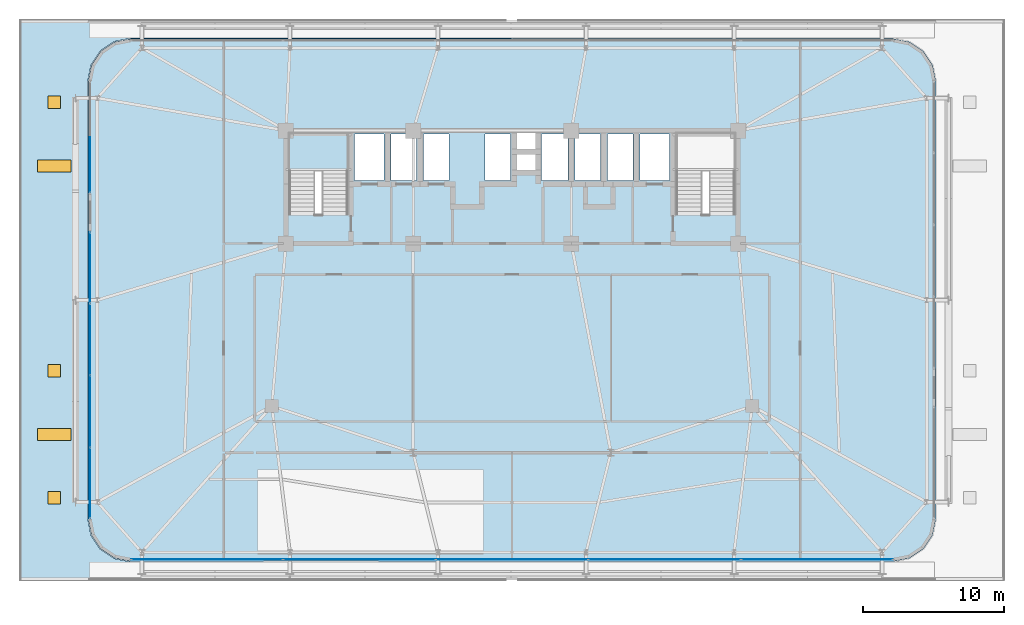
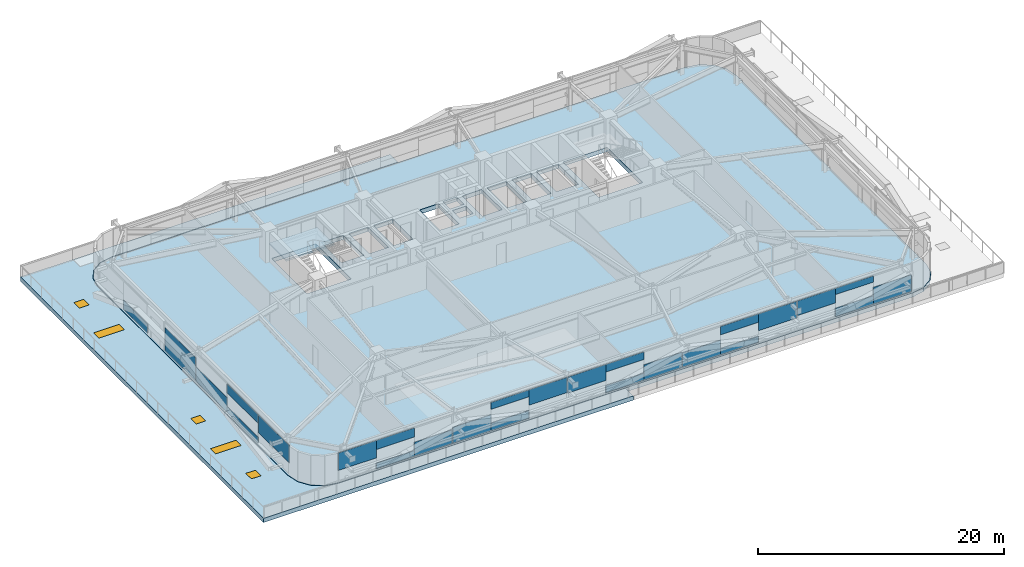
# One storey, part 39 of 56: 26 plates, 3 doors, 3 slabs, 2 windows, 5 openings, 4 elements without a shape of their own.
"""IFC4 building model written with IfcOpenShell, lengths in metres."""

from ifc_helpers import new_model, si_unit, direction, frame, origin, origin_2d, place, context, subcontext, project, spatial, polyline, rectangle, outline, extrude, source, transform, mapped, material, layer, layer_set, type_object, element, fill, aggregate, save


model = new_model("IFC4")

# Units and contexts
model_context = context("Model", 3, precision=1e-05, world=origin(), true_north=direction((0.0, 1.0)))
body_context = subcontext(model_context, "Body", "Model", "MODEL_VIEW")
ifc_project = project(units=[si_unit("LENGTHUNIT", "METRE"), si_unit("AREAUNIT", "SQUARE_METRE"), si_unit("VOLUMEUNIT", "CUBIC_METRE"), si_unit("PLANEANGLEUNIT", "RADIAN"), si_unit("MASSUNIT", "GRAM", prefix="KILO")], contexts=[model_context])

# Site, building, storey
site_placement = place(None, origin())
site = spatial("IfcSite", under=ifc_project, at=site_placement, CompositionType="ELEMENT")
building_placement = place(site_placement, origin())
building = spatial("IfcBuilding", under=site, at=building_placement, Name="Taldren Reach Tower", CompositionType="ELEMENT")
storey_placement = place(building_placement, frame((0.0, 0.0, 16.800048828125)))
storey = spatial("IfcBuildingStorey", under=building, at=storey_placement, Name="L04", CompositionType="ELEMENT", Elevation=16.800048828125)

# Stair, slab
ifc_material_1 = material(Name="Concrete S50 (50 MPa)", Category="concrete")
stair_type = type_object("IfcStairType", Name="ST-HT-315", PredefinedType="HALF_TURN_STAIR", material=ifc_material_1)
stair_placement = place(storey_placement, origin())
stair = element("IfcStair", 1, at=stair_placement, inside=storey, type_object=stair_type, Name="Fire-isolated exit stair ST1 L04", PredefinedType="HALF_TURN_STAIR")
ifc_layer_1 = layer(ifc_material_1, 0.179931640625)
ifc_layer_set_1 = layer_set([ifc_layer_1], Name="Concrete S50 (50 MPa)")
slab_type_1 = type_object("IfcSlabType", Name="SL-LAND-180", PredefinedType="LANDING", material=ifc_layer_set_1)
slab_1_placement = place(storey_placement, frame((0.0, 0.0, 1.39501953125)))
slab_1 = element("IfcSlab", 2, at=slab_1_placement, type_object=slab_type_1, Name="ST1 landing 1", PredefinedType="LANDING", context=body_context, shape_type="SweptSolid", body=[
    extrude(outline(polyline([(19.0400390625, 29.135009765625), (23.56005859375, 29.135009765625), (23.56005859375, 31.8701171875), (19.0400390625, 31.8701171875), (19.0400390625, 29.135009765625)])), origin(), (0.0, 0.0, 1.0), 0.179931640625),
])
aggregate(stair, [slab_1])

# Slab, openings, doors, windows
ifc_layer_2 = layer(ifc_material_1, 0.419921875)
ifc_layer_set_2 = layer_set([ifc_layer_2], Name="Concrete S50 (50 MPa)")
slab_type_2 = type_object("IfcSlabType", Name="SL-TERR-420", PredefinedType="FLOOR", material=ifc_layer_set_2)
slab_2_placement = place(storey_placement, frame((0.0, 0.0, -0.420166015625)))
slab_2 = element("IfcSlab", 3, at=slab_2_placement, inside=storey, type_object=slab_type_2, Name="Podium roof terrace West L04", PredefinedType="FLOOR", context=body_context, shape_type="SweptSolid", body=[
    extrude(outline(polyline([(34.97998046875, 0.199951171875), (0.199951171875, 0.199951171875), (0.199951171875, 39.800048828125), (34.97998046875, 39.800048828125), (34.97998046875, 38.530029296875), (8.0, 38.530029296875), (7.9970703125, 38.52978515625), (7.994140625, 38.529541015625), (6.84619140625, 38.301025390625), (6.84326171875, 38.30029296875), (6.840576171875, 38.29931640625), (6.837890625, 38.298095703125), (6.835205078125, 38.296630859375), (5.862060546875, 37.646240234375), (5.859619140625, 37.64453125), (5.857421875, 37.642578125), (5.85546875, 37.640380859375), (5.853759765625, 37.637939453125), (5.203369140625, 36.664794921875), (5.201904296875, 36.662109375), (5.20068359375, 36.659423828125), (5.19970703125, 36.65673828125), (5.198974609375, 36.65380859375), (4.970458984375, 35.505859375), (4.97021484375, 35.5029296875), (4.969970703125, 35.5), (4.969970703125, 4.5), (4.97021484375, 4.4970703125), (4.970458984375, 4.494140625), (5.198974609375, 3.34619140625), (5.19970703125, 3.34326171875), (5.20068359375, 3.340576171875), (5.201904296875, 3.337890625), (5.203369140625, 3.335205078125), (5.853759765625, 2.362060546875), (5.85546875, 2.359619140625), (5.857421875, 2.357421875), (5.859619140625, 2.35546875), (5.862060546875, 2.353759765625), (6.835205078125, 1.703369140625), (6.837890625, 1.701904296875), (6.840576171875, 1.70068359375), (6.84326171875, 1.69970703125), (6.84619140625, 1.698974609375), (7.994140625, 1.470458984375), (7.9970703125, 1.47021484375), (8.0, 1.469970703125), (34.97998046875, 1.469970703125), (34.97998046875, 0.199951171875)])), origin(), (0.0, 0.0, 1.0), 0.420166015625),
])
opening_1_placement = place(slab_2_placement, frame((2.60009765625, 10.5, -0.010009765625)))
opening_1 = element("IfcOpeningElement", 4, at=opening_1_placement, cuts=slab_2, Name="Opening SK-2408", PredefinedType="OPENING", context=body_context, shape_type="SweptSolid", body=[
    extrude(rectangle(XDim=2.39990234375, YDim=0.85009765625, at=origin_2d()), origin(), (0.0, 0.0, 1.0), 0.440185546875),
])
opening_2_placement = place(slab_2_placement, frame((2.60009765625, 29.5, -0.010009765625)))
opening_2 = element("IfcOpeningElement", 5, at=opening_2_placement, cuts=slab_2, Name="Opening SK-2408", PredefinedType="OPENING", context=body_context, shape_type="SweptSolid", body=[
    extrude(rectangle(XDim=2.39990234375, YDim=0.85009765625, at=origin_2d()), origin(), (0.0, 0.0, 1.0), 0.440185546875),
])
opening_3_placement = place(slab_2_placement, frame((2.60009765625, 6.0, -0.010009765625)))
opening_3 = element("IfcOpeningElement", 6, at=opening_3_placement, cuts=slab_2, Name="Opening RH-090", PredefinedType="OPENING", context=body_context, shape_type="SweptSolid", body=[
    extrude(rectangle(XDim=0.89990234375, YDim=0.89990234375, at=origin_2d()), origin(), (0.0, 0.0, 1.0), 0.440185546875),
])
opening_4_placement = place(slab_2_placement, frame((2.60009765625, 15.0, -0.010009765625)))
opening_4 = element("IfcOpeningElement", 7, at=opening_4_placement, cuts=slab_2, Name="Opening RH-090", PredefinedType="OPENING", context=body_context, shape_type="SweptSolid", body=[
    extrude(rectangle(XDim=0.89990234375, YDim=0.89990234375, at=origin_2d()), origin(), (0.0, 0.0, 1.0), 0.440185546875),
])
opening_5_placement = place(slab_2_placement, frame((2.60009765625, 34.0, -0.010009765625)))
opening_5 = element("IfcOpeningElement", 8, at=opening_5_placement, cuts=slab_2, Name="Opening RH-090", PredefinedType="OPENING", context=body_context, shape_type="SweptSolid", body=[
    extrude(rectangle(XDim=0.89990234375, YDim=0.89990234375, at=origin_2d()), origin(), (0.0, 0.0, 1.0), 0.440185546875),
])
ifc_material_2 = material(Name="Insulated Aluminium Roof Maintenance Access Hatch", Category="aluminium")
door_type = type_object("IfcDoorType", Name="HD-ROOF-900", OperationType="NOTDEFINED", PredefinedType="TRAPDOOR", material=ifc_material_2)
door_1_placement = place(slab_2_placement, frame((2.60009765625, 6.0, 0.3701171875)))
door_1 = element("IfcDoor", 9, at=door_1_placement, inside=storey, type_object=door_type, Name="Podium maintenance roof hatch RH-L04-W1", OperationType="NOTDEFINED", OverallHeight=0.89990234375, OverallWidth=0.89990234375, PredefinedType="TRAPDOOR", context=body_context, shape_type="SweptSolid", body=[
    extrude(rectangle(XDim=0.89990234375, YDim=0.89990234375, at=origin_2d()), origin(), (0.0, 0.0, 1.0), 0.050048828125),
])
fill(opening_3, door_1)
door_2_placement = place(slab_2_placement, frame((2.60009765625, 15.0, 0.3701171875)))
door_2 = element("IfcDoor", 10, at=door_2_placement, inside=storey, type_object=door_type, Name="Podium maintenance roof hatch RH-L04-W2", OperationType="NOTDEFINED", OverallHeight=0.89990234375, OverallWidth=0.89990234375, PredefinedType="TRAPDOOR", context=body_context, shape_type="SweptSolid", body=[
    extrude(rectangle(XDim=0.89990234375, YDim=0.89990234375, at=origin_2d()), origin(), (0.0, 0.0, 1.0), 0.050048828125),
])
fill(opening_4, door_2)
door_3_placement = place(slab_2_placement, frame((2.60009765625, 34.0, 0.3701171875)))
door_3 = element("IfcDoor", 11, at=door_3_placement, inside=storey, type_object=door_type, Name="Podium maintenance roof hatch RH-L04-W3", OperationType="NOTDEFINED", OverallHeight=0.89990234375, OverallWidth=0.89990234375, PredefinedType="TRAPDOOR", context=body_context, shape_type="SweptSolid", body=[
    extrude(rectangle(XDim=0.89990234375, YDim=0.89990234375, at=origin_2d()), origin(), (0.0, 0.0, 1.0), 0.050048828125),
])
fill(opening_5, door_3)
ifc_material_3 = material(Name="Thermally Broken Aluminium and Low-E IGU", Category="aluminium")
window_type = type_object("IfcWindowType", Name="SK-POD-2400", PartitioningType="SINGLE_PANEL", PredefinedType="SKYLIGHT", material=ifc_material_3)
window_1_placement = place(slab_2_placement, frame((2.60009765625, 10.5, 0.3701171875)))
window_1 = element("IfcWindow", 12, at=window_1_placement, inside=storey, type_object=window_type, Name="Podium clinic skylight SK-L04-1", OverallHeight=0.85009765625, OverallWidth=2.39990234375, PartitioningType="SINGLE_PANEL", PredefinedType="SKYLIGHT", context=body_context, shape_type="SweptSolid", body=[
    extrude(rectangle(XDim=2.39990234375, YDim=0.85009765625, at=origin_2d()), origin(), (0.0, 0.0, 1.0), 0.050048828125),
])
fill(opening_1, window_1)
window_2_placement = place(slab_2_placement, frame((2.60009765625, 29.5, 0.3701171875)))
window_2 = element("IfcWindow", 13, at=window_2_placement, inside=storey, type_object=window_type, Name="Podium clinic skylight SK-L04-2", OverallHeight=0.85009765625, OverallWidth=2.39990234375, PartitioningType="SINGLE_PANEL", PredefinedType="SKYLIGHT", context=body_context, shape_type="SweptSolid", body=[
    extrude(rectangle(XDim=2.39990234375, YDim=0.85009765625, at=origin_2d()), origin(), (0.0, 0.0, 1.0), 0.050048828125),
])
fill(opening_2, window_2)

# Slab
ifc_material_4 = material(Name="Concrete S65 (65 MPa)", Category="concrete")
ifc_layer_3 = layer(ifc_material_4, 0.419921875)
ifc_layer_set_3 = layer_set([ifc_layer_3], Name="Concrete S65 (65 MPa)")
slab_type_3 = type_object("IfcSlabType", Name="SL-TRANS-420", PredefinedType="FLOOR", material=ifc_layer_set_3)
slab_3_placement = place(storey_placement, frame((0.0, 0.0, -0.420166015625)))
element("IfcSlab", 14, at=slab_3_placement, inside=storey, type_object=slab_type_3, Name="Suspended floor slab L04", PredefinedType="FLOOR", context=body_context, shape_type="SweptSolid", body=[
    extrude(outline(polyline([(62.0, 1.5), (63.14794921875, 1.728271484375), (64.121337890625, 2.378662109375), (64.771728515625, 3.35205078125), (65.0, 4.5), (65.0, 35.5), (64.771728515625, 36.64794921875), (64.121337890625, 37.621337890625), (63.14794921875, 38.271728515625), (62.0, 38.5), (8.0, 38.5), (6.85205078125, 38.271728515625), (5.878662109375, 37.621337890625), (5.228271484375, 36.64794921875), (5.0, 35.5), (5.0, 4.5), (5.228271484375, 3.35205078125), (5.878662109375, 2.378662109375), (6.85205078125, 1.728271484375), (8.0, 1.5), (62.0, 1.5)]), holes=[polyline([(19.219970703125, 26.050048828125), (23.3798828125, 26.050048828125), (23.3798828125, 31.820068359375), (19.219970703125, 31.820068359375), (19.219970703125, 26.050048828125)]), polyline([(46.6201171875, 26.050048828125), (50.780029296875, 26.050048828125), (50.780029296875, 31.820068359375), (46.6201171875, 31.820068359375), (46.6201171875, 26.050048828125)]), polyline([(23.85009765625, 28.449951171875), (25.949951171875, 28.449951171875), (25.949951171875, 31.75), (23.85009765625, 31.75), (23.85009765625, 28.449951171875)]), polyline([(44.050048828125, 28.449951171875), (46.14990234375, 28.449951171875), (46.14990234375, 31.75), (44.050048828125, 31.75), (44.050048828125, 28.449951171875)]), polyline([(26.449951171875, 28.449951171875), (28.25, 28.449951171875), (28.25, 31.75), (26.449951171875, 31.75), (26.449951171875, 28.449951171875)]), polyline([(28.75, 28.449951171875), (30.550048828125, 28.449951171875), (30.550048828125, 31.75), (28.75, 31.75), (28.75, 28.449951171875)]), polyline([(33.10009765625, 28.449951171875), (34.89990234375, 28.449951171875), (34.89990234375, 31.75), (33.10009765625, 31.75), (33.10009765625, 28.449951171875)]), polyline([(37.10009765625, 28.449951171875), (38.949951171875, 28.449951171875), (38.949951171875, 31.75), (37.10009765625, 31.75), (37.10009765625, 28.449951171875)]), polyline([(39.449951171875, 28.449951171875), (41.25, 28.449951171875), (41.25, 31.75), (39.449951171875, 31.75), (39.449951171875, 28.449951171875)]), polyline([(41.75, 28.449951171875), (43.550048828125, 28.449951171875), (43.550048828125, 31.75), (41.75, 31.75), (41.75, 28.449951171875)]), polyline([(35.35009765625, 30.64990234375), (36.64990234375, 30.64990234375), (36.64990234375, 31.85009765625), (35.35009765625, 31.85009765625), (35.35009765625, 30.64990234375)]), polyline([(35.35009765625, 29.14990234375), (36.64990234375, 29.14990234375), (36.64990234375, 30.35009765625), (35.35009765625, 30.35009765625), (35.35009765625, 29.14990234375)])]), origin(), (0.0, 0.0, 1.0), 0.420166015625),
])

# Curtain wall, plates
ifc_material_5 = material(Name="Aluminium and Low-E Glass Unitised System", Category="aluminium")
ifc_layer_4 = layer(ifc_material_5, 0.159912109375)
ifc_layer_set_4 = layer_set([ifc_layer_4], Name="Aluminium and Low-E Glass Unitised System")
curtain_wall_type = type_object("IfcCurtainWallType", Name="CW-SYS-2", PredefinedType="NOTDEFINED", material=ifc_layer_set_4)
curtain_wall_1_placement = place(storey_placement, origin())
curtain_wall_1 = element("IfcCurtainWall", 15, at=curtain_wall_1_placement, inside=storey, type_object=curtain_wall_type, Name="Unitised curtain wall CW-L04-S", PredefinedType="NOTDEFINED")
ifc_material_6 = material(Name="Solar-Control Double Glazed IGU", Category="glass")
ifc_layer_5 = layer(ifc_material_6, 0.031982421875)
ifc_layer_set_5 = layer_set([ifc_layer_5], Name="Solar-Control Double Glazed IGU")
plate_type = type_object("IfcPlateType", Name="CW-PNL-IGU32", PredefinedType="CURTAIN_PANEL", material=ifc_layer_set_5)
shared_shape_1 = source(origin(), body_context, "Body", "SweptSolid", [
    extrude(rectangle(XDim=3.5673828125, YDim=0.031982421875, at=origin_2d()), origin(), (0.0, 0.0, 1.0), 1.7314453125),
])
plate_1_placement = place(storey_placement, frame((9.8486328125, 1.639892578125, 1.1435546875), z_axis=(0.0, 0.0, 1.0), x_axis=(1.0, 0.0, 0.0)))
plate_1 = element("IfcPlate", 16, at=plate_1_placement, type_object=plate_type, Name="CW-2 panel 1.1 part 1", PredefinedType="CURTAIN_PANEL", context=body_context, shape_type="MappedRepresentation", body=[
    mapped(shared_shape_1, transform((0.0, 0.0, 0.0), scale=1.0)),
])
shared_shape_2 = source(origin(), body_context, "Body", "SweptSolid", [
    extrude(rectangle(XDim=3.5673828125, YDim=0.031982421875, at=origin_2d()), origin(), (0.0, 0.0, 1.0), 0.554931640625),
])
plate_2_placement = place(storey_placement, frame((13.416259765625, 1.639892578125, 0.05517578125), z_axis=(0.0, 0.0, 1.0), x_axis=(1.0, 0.0, 0.0)))
plate_2 = element("IfcPlate", 17, at=plate_2_placement, type_object=plate_type, Name="CW-2 panel 1.1 part 2", PredefinedType="CURTAIN_PANEL", context=body_context, shape_type="MappedRepresentation", body=[
    mapped(shared_shape_2, transform((0.0, 0.0, 0.0), scale=1.0)),
])
shared_shape_3 = source(origin(), body_context, "Body", "SweptSolid", [
    extrude(rectangle(XDim=3.5673828125, YDim=0.031982421875, at=origin_2d()), origin(), (0.0, 0.0, 1.0), 0.904296875),
])
plate_3_placement = place(storey_placement, frame((13.416259765625, 1.639892578125, 1.970703125), z_axis=(0.0, 0.0, 1.0), x_axis=(1.0, 0.0, 0.0)))
plate_3 = element("IfcPlate", 18, at=plate_3_placement, type_object=plate_type, Name="CW-2 panel 1.1 part 3", PredefinedType="CURTAIN_PANEL", context=body_context, shape_type="MappedRepresentation", body=[
    mapped(shared_shape_3, transform((0.0, 0.0, 0.0), scale=1.0)),
])
shared_shape_4 = source(origin(), body_context, "Body", "SweptSolid", [
    extrude(rectangle(XDim=3.5673828125, YDim=0.031982421875, at=origin_2d()), origin(), (0.0, 0.0, 1.0), 1.38232421875),
])
plate_4_placement = place(storey_placement, frame((16.983642578125, 1.639892578125, 0.054931640625), z_axis=(0.0, 0.0, 1.0), x_axis=(1.0, 0.0, 0.0)))
plate_4 = element("IfcPlate", 19, at=plate_4_placement, type_object=plate_type, Name="CW-2 panel 1.1 part 4", PredefinedType="CURTAIN_PANEL", context=body_context, shape_type="MappedRepresentation", body=[
    mapped(shared_shape_4, transform((0.0, 0.0, 0.0), scale=1.0)),
])
shared_shape_5 = source(origin(), body_context, "Body", "SweptSolid", [
    extrude(rectangle(XDim=3.578369140625, YDim=0.031982421875, at=origin_2d()), origin(), (0.0, 0.0, 1.0), 1.602294921875),
])
plate_5_placement = place(storey_placement, frame((20.62158203125, 1.639892578125, 0.05517578125), z_axis=(0.0, 0.0, 1.0), x_axis=(1.0, 0.0, 0.0)))
plate_5 = element("IfcPlate", 20, at=plate_5_placement, type_object=plate_type, Name="CW-2 panel 2.1 part 1", PredefinedType="CURTAIN_PANEL", context=body_context, shape_type="MappedRepresentation", body=[
    mapped(shared_shape_5, transform((0.0, 0.0, 0.0), scale=1.0)),
])
shared_shape_6 = source(origin(), body_context, "Body", "SweptSolid", [
    extrude(rectangle(XDim=3.578369140625, YDim=0.031982421875, at=origin_2d()), origin(), (0.0, 0.0, 1.0), 0.7724609375),
])
plate_6_placement = place(storey_placement, frame((24.199951171875, 1.639892578125, 0.054931640625), z_axis=(0.0, 0.0, 1.0), x_axis=(1.0, 0.0, 0.0)))
plate_6 = element("IfcPlate", 21, at=plate_6_placement, type_object=plate_type, Name="CW-2 panel 2.1 part 2", PredefinedType="CURTAIN_PANEL", context=body_context, shape_type="MappedRepresentation", body=[
    mapped(shared_shape_6, transform((0.0, 0.0, 0.0), scale=1.0)),
])
shared_shape_7 = source(origin(), body_context, "Body", "SweptSolid", [
    extrude(rectangle(XDim=3.578369140625, YDim=0.031982421875, at=origin_2d()), origin(), (0.0, 0.0, 1.0), 0.68408203125),
])
plate_7_placement = place(storey_placement, frame((24.199951171875, 1.639892578125, 2.19091796875), z_axis=(0.0, 0.0, 1.0), x_axis=(1.0, 0.0, 0.0)))
plate_7 = element("IfcPlate", 22, at=plate_7_placement, type_object=plate_type, Name="CW-2 panel 2.1 part 3", PredefinedType="CURTAIN_PANEL", context=body_context, shape_type="MappedRepresentation", body=[
    mapped(shared_shape_7, transform((0.0, 0.0, 0.0), scale=1.0)),
])
shared_shape_8 = source(origin(), body_context, "Body", "SweptSolid", [
    extrude(rectangle(XDim=3.578369140625, YDim=0.031982421875, at=origin_2d()), origin(), (0.0, 0.0, 1.0), 1.513916015625),
])
plate_8_placement = place(storey_placement, frame((27.7783203125, 1.639892578125, 1.36083984375), z_axis=(0.0, 0.0, 1.0), x_axis=(1.0, 0.0, 0.0)))
plate_8 = element("IfcPlate", 23, at=plate_8_placement, type_object=plate_type, Name="CW-2 panel 2.1 part 4", PredefinedType="CURTAIN_PANEL", context=body_context, shape_type="MappedRepresentation", body=[
    mapped(shared_shape_8, transform((0.0, 0.0, 0.0), scale=1.0)),
])
shared_shape_9 = source(origin(), body_context, "Body", "SweptSolid", [
    extrude(rectangle(XDim=3.578369140625, YDim=0.031982421875, at=origin_2d()), origin(), (0.0, 0.0, 1.0), 1.588134765625),
])
plate_9_placement = place(storey_placement, frame((31.421630859375, 1.639892578125, 1.28662109375), z_axis=(0.0, 0.0, 1.0), x_axis=(1.0, 0.0, 0.0)))
plate_9 = element("IfcPlate", 24, at=plate_9_placement, type_object=plate_type, Name="CW-2 panel 3.1 part 1", PredefinedType="CURTAIN_PANEL", context=body_context, shape_type="MappedRepresentation", body=[
    mapped(shared_shape_9, transform((0.0, 0.0, 0.0), scale=1.0)),
])
shared_shape_10 = source(origin(), body_context, "Body", "SweptSolid", [
    extrude(rectangle(XDim=3.578369140625, YDim=0.031982421875, at=origin_2d()), origin(), (0.0, 0.0, 1.0), 0.698486328125),
])
plate_10_placement = place(storey_placement, frame((35.0, 1.639892578125, 0.0546875), z_axis=(0.0, 0.0, 1.0), x_axis=(1.0, 0.0, 0.0)))
plate_10 = element("IfcPlate", 25, at=plate_10_placement, type_object=plate_type, Name="CW-2 panel 3.1 part 2", PredefinedType="CURTAIN_PANEL", context=body_context, shape_type="MappedRepresentation", body=[
    mapped(shared_shape_10, transform((0.0, 0.0, 0.0), scale=1.0)),
])
shared_shape_11 = source(origin(), body_context, "Body", "SweptSolid", [
    extrude(rectangle(XDim=3.578369140625, YDim=0.031982421875, at=origin_2d()), origin(), (0.0, 0.0, 1.0), 0.75830078125),
])
plate_11_placement = place(storey_placement, frame((35.0, 1.639892578125, 2.11669921875), z_axis=(0.0, 0.0, 1.0), x_axis=(1.0, 0.0, 0.0)))
plate_11 = element("IfcPlate", 26, at=plate_11_placement, type_object=plate_type, Name="CW-2 panel 3.1 part 3", PredefinedType="CURTAIN_PANEL", context=body_context, shape_type="MappedRepresentation", body=[
    mapped(shared_shape_11, transform((0.0, 0.0, 0.0), scale=1.0)),
])
shared_shape_12 = source(origin(), body_context, "Body", "SweptSolid", [
    extrude(rectangle(XDim=3.578369140625, YDim=0.031982421875, at=origin_2d()), origin(), (0.0, 0.0, 1.0), 1.528076171875),
])
plate_12_placement = place(storey_placement, frame((38.578369140625, 1.639892578125, 0.05517578125), z_axis=(0.0, 0.0, 1.0), x_axis=(1.0, 0.0, 0.0)))
plate_12 = element("IfcPlate", 27, at=plate_12_placement, type_object=plate_type, Name="CW-2 panel 3.1 part 4", PredefinedType="CURTAIN_PANEL", context=body_context, shape_type="MappedRepresentation", body=[
    mapped(shared_shape_12, transform((0.0, 0.0, 0.0), scale=1.0)),
])
shared_shape_13 = source(origin(), body_context, "Body", "SweptSolid", [
    extrude(rectangle(XDim=3.578369140625, YDim=0.031982421875, at=origin_2d()), origin(), (0.0, 0.0, 1.0), 1.453857421875),
])
plate_13_placement = place(storey_placement, frame((42.2216796875, 1.639892578125, 0.05517578125), z_axis=(0.0, 0.0, 1.0), x_axis=(1.0, 0.0, 0.0)))
plate_13 = element("IfcPlate", 28, at=plate_13_placement, type_object=plate_type, Name="CW-2 panel 4.1 part 1", PredefinedType="CURTAIN_PANEL", context=body_context, shape_type="MappedRepresentation", body=[
    mapped(shared_shape_13, transform((0.0, 0.0, 0.0), scale=1.0)),
])
shared_shape_14 = source(origin(), body_context, "Body", "SweptSolid", [
    extrude(rectangle(XDim=3.578369140625, YDim=0.031982421875, at=origin_2d()), origin(), (0.0, 0.0, 1.0), 0.624267578125),
])
plate_14_placement = place(storey_placement, frame((45.800048828125, 1.639892578125, 0.0546875), z_axis=(0.0, 0.0, 1.0), x_axis=(1.0, 0.0, 0.0)))
plate_14 = element("IfcPlate", 29, at=plate_14_placement, type_object=plate_type, Name="CW-2 panel 4.1 part 2", PredefinedType="CURTAIN_PANEL", context=body_context, shape_type="MappedRepresentation", body=[
    mapped(shared_shape_14, transform((0.0, 0.0, 0.0), scale=1.0)),
])
shared_shape_15 = source(origin(), body_context, "Body", "SweptSolid", [
    extrude(rectangle(XDim=3.578369140625, YDim=0.031982421875, at=origin_2d()), origin(), (0.0, 0.0, 1.0), 0.83251953125),
])
plate_15_placement = place(storey_placement, frame((45.800048828125, 1.639892578125, 2.04248046875), z_axis=(0.0, 0.0, 1.0), x_axis=(1.0, 0.0, 0.0)))
plate_15 = element("IfcPlate", 30, at=plate_15_placement, type_object=plate_type, Name="CW-2 panel 4.1 part 3", PredefinedType="CURTAIN_PANEL", context=body_context, shape_type="MappedRepresentation", body=[
    mapped(shared_shape_15, transform((0.0, 0.0, 0.0), scale=1.0)),
])
shared_shape_16 = source(origin(), body_context, "Body", "SweptSolid", [
    extrude(rectangle(XDim=3.578369140625, YDim=0.031982421875, at=origin_2d()), origin(), (0.0, 0.0, 1.0), 1.662353515625),
])
plate_16_placement = place(storey_placement, frame((49.37841796875, 1.639892578125, 1.21240234375), z_axis=(0.0, 0.0, 1.0), x_axis=(1.0, 0.0, 0.0)))
plate_16 = element("IfcPlate", 31, at=plate_16_placement, type_object=plate_type, Name="CW-2 panel 4.1 part 4", PredefinedType="CURTAIN_PANEL", context=body_context, shape_type="MappedRepresentation", body=[
    mapped(shared_shape_16, transform((0.0, 0.0, 0.0), scale=1.0)),
])
shared_shape_17 = source(origin(), body_context, "Body", "SweptSolid", [
    extrude(rectangle(XDim=3.5673828125, YDim=0.031982421875, at=origin_2d()), origin(), (0.0, 0.0, 1.0), 1.442138671875),
])
plate_17_placement = place(storey_placement, frame((53.016357421875, 1.639892578125, 1.4326171875), z_axis=(0.0, 0.0, 1.0), x_axis=(1.0, 0.0, 0.0)))
plate_17 = element("IfcPlate", 32, at=plate_17_placement, type_object=plate_type, Name="CW-2 panel 5.1 part 1", PredefinedType="CURTAIN_PANEL", context=body_context, shape_type="MappedRepresentation", body=[
    mapped(shared_shape_17, transform((0.0, 0.0, 0.0), scale=1.0)),
])
shared_shape_18 = source(origin(), body_context, "Body", "SweptSolid", [
    extrude(rectangle(XDim=3.5673828125, YDim=0.031982421875, at=origin_2d()), origin(), (0.0, 0.0, 1.0), 0.84423828125),
])
plate_18_placement = place(storey_placement, frame((56.583740234375, 1.639892578125, 0.054931640625), z_axis=(0.0, 0.0, 1.0), x_axis=(1.0, 0.0, 0.0)))
plate_18 = element("IfcPlate", 33, at=plate_18_placement, type_object=plate_type, Name="CW-2 panel 5.1 part 2", PredefinedType="CURTAIN_PANEL", context=body_context, shape_type="MappedRepresentation", body=[
    mapped(shared_shape_18, transform((0.0, 0.0, 0.0), scale=1.0)),
])
shared_shape_19 = source(origin(), body_context, "Body", "SweptSolid", [
    extrude(rectangle(XDim=3.5673828125, YDim=0.031982421875, at=origin_2d()), origin(), (0.0, 0.0, 1.0), 0.614990234375),
])
plate_19_placement = place(storey_placement, frame((56.583740234375, 1.639892578125, 2.259765625), z_axis=(0.0, 0.0, 1.0), x_axis=(1.0, 0.0, 0.0)))
plate_19 = element("IfcPlate", 34, at=plate_19_placement, type_object=plate_type, Name="CW-2 panel 5.1 part 3", PredefinedType="CURTAIN_PANEL", context=body_context, shape_type="MappedRepresentation", body=[
    mapped(shared_shape_19, transform((0.0, 0.0, 0.0), scale=1.0)),
])
shared_shape_20 = source(origin(), body_context, "Body", "SweptSolid", [
    extrude(rectangle(XDim=3.5673828125, YDim=0.031982421875, at=origin_2d()), origin(), (0.0, 0.0, 1.0), 1.67138671875),
])
plate_20_placement = place(storey_placement, frame((60.1513671875, 1.639892578125, 0.054931640625), z_axis=(0.0, 0.0, 1.0), x_axis=(1.0, 0.0, 0.0)))
plate_20 = element("IfcPlate", 35, at=plate_20_placement, type_object=plate_type, Name="CW-2 panel 5.1 part 4", PredefinedType="CURTAIN_PANEL", context=body_context, shape_type="MappedRepresentation", body=[
    mapped(shared_shape_20, transform((0.0, 0.0, 0.0), scale=1.0)),
])
aggregate(curtain_wall_1, [plate_1, plate_2, plate_3, plate_4, plate_5, plate_6, plate_7, plate_8, plate_9, plate_10, plate_11, plate_12, plate_13, plate_14, plate_15, plate_16, plate_17, plate_18, plate_19, plate_20])

# Curtain wall, plate
curtain_wall_2_placement = place(storey_placement, origin())
curtain_wall_2 = element("IfcCurtainWall", 36, at=curtain_wall_2_placement, inside=storey, type_object=curtain_wall_type, Name="Unitised curtain wall CW-L04-W1", PredefinedType="NOTDEFINED")
shared_shape_21 = source(origin(), body_context, "Body", "SweptSolid", [
    extrude(rectangle(XDim=3.909912109375, YDim=0.031982421875, at=origin_2d()), origin(), (0.0, 0.0, 1.0), 0.909912109375),
])
plate_21_placement = place(storey_placement, frame((5.139892578125, 29.570068359375, 0.05517578125), z_axis=(0.0, 0.0, 1.0), x_axis=(0.0, -1.0, 0.0)))
plate_21 = element("IfcPlate", 37, at=plate_21_placement, type_object=plate_type, Name="CW-2 panel 1.1 part 2", PredefinedType="CURTAIN_PANEL", context=body_context, shape_type="MappedRepresentation", body=[
    mapped(shared_shape_21, transform((0.0, 0.0, 0.0), scale=1.0)),
])
aggregate(curtain_wall_2, [plate_21])

# Curtain wall, plates
curtain_wall_3_placement = place(storey_placement, origin())
curtain_wall_3 = element("IfcCurtainWall", 38, at=curtain_wall_3_placement, inside=storey, type_object=curtain_wall_type, Name="Unitised curtain wall CW-L04-W2", PredefinedType="NOTDEFINED")
shared_shape_22 = source(origin(), body_context, "Body", "SweptSolid", [
    extrude(rectangle(XDim=4.989990234375, YDim=0.031982421875, at=origin_2d()), origin(), (0.0, 0.0, 1.0), 2.296630859375),
])
plate_22_placement = place(storey_placement, frame((5.139892578125, 22.2900390625, 0.0546875), z_axis=(0.0, 0.0, 1.0), x_axis=(0.0, -1.0, 0.0)))
plate_22 = element("IfcPlate", 39, at=plate_22_placement, type_object=plate_type, Name="CW-2 panel 1.1 part 1", PredefinedType="CURTAIN_PANEL", context=body_context, shape_type="MappedRepresentation", body=[
    mapped(shared_shape_22, transform((0.0, 0.0, 0.0), scale=1.0)),
])
shared_shape_23 = source(origin(), body_context, "Body", "SweptSolid", [
    extrude(rectangle(XDim=5.0224609375, YDim=0.031982421875, at=origin_2d()), origin(), (0.0, 0.0, 1.0), 1.431884765625),
])
plate_23_placement = place(storey_placement, frame((5.139892578125, 17.21875, 0.05517578125), z_axis=(0.0, 0.0, 1.0), x_axis=(0.0, -1.0, 0.0)))
plate_23 = element("IfcPlate", 40, at=plate_23_placement, type_object=plate_type, Name="CW-2 panel 2.1 part 1", PredefinedType="CURTAIN_PANEL", context=body_context, shape_type="MappedRepresentation", body=[
    mapped(shared_shape_23, transform((0.0, 0.0, 0.0), scale=1.0)),
])
shared_shape_24 = source(origin(), body_context, "Body", "SweptSolid", [
    extrude(rectangle(XDim=5.0224609375, YDim=0.031982421875, at=origin_2d()), origin(), (0.0, 0.0, 1.0), 0.5673828125),
])
plate_24_placement = place(storey_placement, frame((5.139892578125, 12.13134765625, 0.054931640625), z_axis=(0.0, 0.0, 1.0), x_axis=(0.0, -1.0, 0.0)))
plate_24 = element("IfcPlate", 41, at=plate_24_placement, type_object=plate_type, Name="CW-2 panel 3.1 part 1", PredefinedType="CURTAIN_PANEL", context=body_context, shape_type="MappedRepresentation", body=[
    mapped(shared_shape_24, transform((0.0, 0.0, 0.0), scale=1.0)),
])
shared_shape_25 = source(origin(), body_context, "Body", "SweptSolid", [
    extrude(rectangle(XDim=5.0224609375, YDim=0.031982421875, at=origin_2d()), origin(), (0.0, 0.0, 1.0), 0.871826171875),
])
plate_25_placement = place(storey_placement, frame((5.139892578125, 12.13134765625, 2.0029296875), z_axis=(0.0, 0.0, 1.0), x_axis=(0.0, -1.0, 0.0)))
plate_25 = element("IfcPlate", 42, at=plate_25_placement, type_object=plate_type, Name="CW-2 panel 3.1 part 2", PredefinedType="CURTAIN_PANEL", context=body_context, shape_type="MappedRepresentation", body=[
    mapped(shared_shape_25, transform((0.0, 0.0, 0.0), scale=1.0)),
])
shared_shape_26 = source(origin(), body_context, "Body", "SweptSolid", [
    extrude(rectangle(XDim=4.989990234375, YDim=0.031982421875, at=origin_2d()), origin(), (0.0, 0.0, 1.0), 1.736328125),
])
plate_26_placement = place(storey_placement, frame((5.139892578125, 7.06005859375, 1.138671875), z_axis=(0.0, 0.0, 1.0), x_axis=(0.0, -1.0, 0.0)))
plate_26 = element("IfcPlate", 43, at=plate_26_placement, type_object=plate_type, Name="CW-2 panel 4.1 part 1", PredefinedType="CURTAIN_PANEL", context=body_context, shape_type="MappedRepresentation", body=[
    mapped(shared_shape_26, transform((0.0, 0.0, 0.0), scale=1.0)),
])
aggregate(curtain_wall_3, [plate_22, plate_23, plate_24, plate_25, plate_26])

save(model, "model.ifc")
